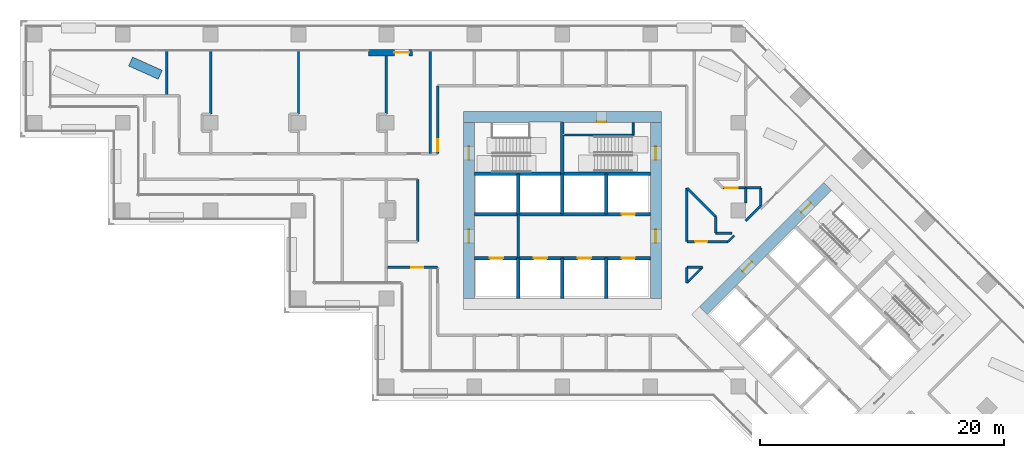
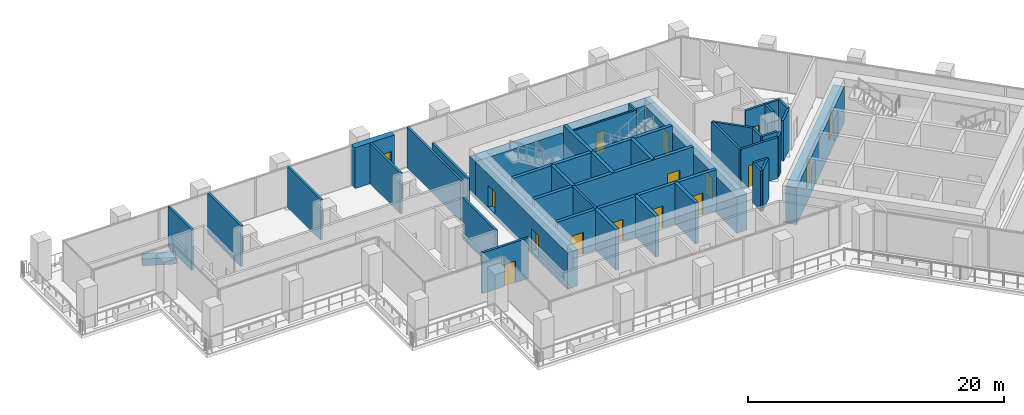
# One storey, part 13 of 24: 42 walls, 17 doors, 17 openings.
"""IFC4 building model written with IfcOpenShell, lengths in metres."""

from ifc_helpers import new_model, si_unit, direction, frame, frame_2d, origin, place, context, subcontext, project, spatial, rectangle, extrude, material, layer, layer_set, type_object, element, fill, save


model = new_model("IFC4")

# Units and contexts
model_context = context("Model", 3, precision=1e-05, world=origin(), true_north=direction((0.0, 1.0)))
body_context = subcontext(model_context, "Body", "Model", "MODEL_VIEW")
ifc_project = project(units=[si_unit("LENGTHUNIT", "METRE"), si_unit("AREAUNIT", "SQUARE_METRE"), si_unit("VOLUMEUNIT", "CUBIC_METRE"), si_unit("PLANEANGLEUNIT", "RADIAN"), si_unit("MASSUNIT", "GRAM", prefix="KILO")], contexts=[model_context])

# Site, building, storey
site_placement = place(None, origin())
site = spatial("IfcSite", under=ifc_project, at=site_placement, CompositionType="ELEMENT")
building_placement = place(site_placement, origin())
building = spatial("IfcBuilding", under=site, at=building_placement, Name="Windrow Commons", CompositionType="ELEMENT")
storey_placement = place(building_placement, frame((0.0, 0.0, 77.0)))
storey = spatial("IfcBuildingStorey", under=building, at=storey_placement, Name="L20", CompositionType="ELEMENT", Elevation=77.0)

# Wall, opening, door
ifc_material_1 = material(Name="Brick masonry, red clay brick", Category="masonry")
ifc_layer_1 = layer(ifc_material_1, 0.55)
ifc_layer_set_1 = layer_set([ifc_layer_1], Name="Brick facade wall 550")
wall_type_1 = type_object("IfcWallType", Name="Brick facade wall 550", PredefinedType="SOLIDWALL", material=ifc_layer_set_1)
wall_1_placement = place(storey_placement, frame((52.5519, 70.525, 0.0), z_axis=(0.0, 0.0, 1.0), x_axis=(-1.0, 0.0, 0.0)))
wall_1 = element("IfcWall", 1, at=wall_1_placement, inside=storey, type_object=wall_type_1, Name="Brick facade wall L20 door pier 4", PredefinedType="SOLIDWALL", context=body_context, shape_type="SweptSolid", body=[
    extrude(rectangle(XDim=3.6, YDim=0.55, at=frame_2d((1.8, 0.0))), origin(), (0.0, 0.0, 1.0), 3.9),
])
opening_1_placement = place(wall_1_placement, frame((0.3, 0.0, 0.0)))
opening_1 = element("IfcOpeningElement", 2, at=opening_1_placement, cuts=wall_1, Name="Opening TD7", PredefinedType="OPENING", context=body_context, shape_type="SweptSolid", body=[
    extrude(rectangle(XDim=1.2, YDim=2.4, at=frame_2d((0.6, 1.2))), frame((0.0, 0.285, 0.0), z_axis=(0.0, -1.0, 0.0), x_axis=(1.0, 0.0, 0.0)), (0.0, 0.0, 1.0), 0.57),
])
ifc_material_2 = material(Name="Aluminium 6063-T6 anodised frame with clear glass", Category="aluminium")
door_type_1 = type_object("IfcDoorType", Name="Terrace door TD7 1200x2400", OperationType="SINGLE_SWING_LEFT", PredefinedType="DOOR", material=ifc_material_2)
door_1_placement = place(opening_1_placement, origin())
door_1 = element("IfcDoor", 3, at=door_1_placement, inside=storey, type_object=door_type_1, Name="Terrace door L20 4.1", OperationType="SINGLE_SWING_LEFT", OverallHeight=2.4, OverallWidth=1.2, PredefinedType="DOOR", context=body_context, shape_type="SweptSolid", body=[
    extrude(rectangle(XDim=1.2, YDim=2.4, at=frame_2d((0.6, 1.2))), frame((0.0, 0.025, 0.0), z_axis=(0.0, -1.0, 0.0), x_axis=(1.0, 0.0, 0.0)), (0.0, 0.0, 1.0), 0.05),
])
fill(opening_1, door_1)

# Wall
ifc_material_3 = material(Name="Blockwork partition", Category="masonry")
ifc_layer_2 = layer(ifc_material_3, 0.2)
ifc_layer_set_2 = layer_set([ifc_layer_2], Name="Fire lobby partition 200")
wall_type_2 = type_object("IfcWallType", Name="Fire lobby partition 200", PredefinedType="PARTITIONING", material=ifc_layer_set_2)
wall_2_placement = place(storey_placement, frame((61.2, 53.7, 0.0), z_axis=(0.0, 0.0, 1.0), x_axis=(0.0, 1.0, 0.0)))
element("IfcWall", 4, at=wall_2_placement, inside=storey, type_object=wall_type_2, Name="W-core-lobby-A-L20", PredefinedType="PARTITIONING", context=body_context, shape_type="SweptSolid", body=[
    extrude(rectangle(XDim=3.6, YDim=0.2, at=frame_2d((1.8, 0.0))), origin(), (0.0, 0.0, 1.0), 3.9),
])

# Wall, opening, door
ifc_material_4 = material(Name="Blockwork partition", Category="masonry")
ifc_layer_3 = layer(ifc_material_4, 0.2)
ifc_layer_set_3 = layer_set([ifc_layer_3], Name="IW-CORRIDOR-200")
wall_type_3 = type_object("IfcWallType", Name="IW-CORRIDOR-200", PredefinedType="PARTITIONING", material=ifc_layer_set_3)
wall_3_placement = place(storey_placement, frame((54.6, 62.252, 0.0), z_axis=(0.0, 0.0, 1.0), x_axis=(0.0, 1.0, 0.0)))
wall_3 = element("IfcWall", 5, at=wall_3_placement, inside=storey, type_object=wall_type_3, Name="W-L20-W019", PredefinedType="PARTITIONING", context=body_context, shape_type="SweptSolid", body=[
    extrude(rectangle(XDim=5.548, YDim=0.2, at=frame_2d((2.774, 0.0))), origin(), (0.0, 0.0, 1.0), 3.9),
])
opening_2_placement = place(wall_3_placement, frame((0.2012, 0.0, 0.0)))
opening_2 = element("IfcOpeningElement", 6, at=opening_2_placement, cuts=wall_3, Name="Opening D310F", PredefinedType="OPENING", context=body_context, shape_type="SweptSolid", body=[
    extrude(rectangle(XDim=1.0, YDim=2.1, at=frame_2d((0.5, 1.05))), frame((0.0, 0.11, 0.0), z_axis=(0.0, -1.0, 0.0), x_axis=(1.0, 0.0, 0.0)), (0.0, 0.0, 1.0), 0.22),
])
ifc_material_5 = material(Name="Timber door leaf", Category="wood")
door_type_2 = type_object("IfcDoorType", Name="DT-AMENITY-1000", OperationType="SINGLE_SWING_LEFT", PredefinedType="DOOR", material=ifc_material_5)
door_2_placement = place(opening_2_placement, origin())
door_2 = element("IfcDoor", 7, at=door_2_placement, inside=storey, type_object=door_type_2, Name="D-L20-D017", OperationType="SINGLE_SWING_LEFT", OverallHeight=2.1, OverallWidth=1.0, PredefinedType="DOOR", context=body_context, shape_type="SweptSolid", body=[
    extrude(rectangle(XDim=1.0, YDim=2.1, at=frame_2d((0.5, 1.05))), frame((0.0, 0.025, 0.0), z_axis=(0.0, -1.0, 0.0), x_axis=(1.0, 0.0, 0.0)), (0.0, 0.0, 1.0), 0.05),
])
fill(opening_2, door_2)

# Walls
wall_4_placement = place(storey_placement, frame((52.95, 55.052, 0.0), z_axis=(0.0, 0.0, 1.0), x_axis=(0.0, 1.0, 0.0)))
element("IfcWall", 8, at=wall_4_placement, inside=storey, type_object=wall_type_3, Name="W-L20-W024", PredefinedType="PARTITIONING", context=body_context, shape_type="SweptSolid", body=[
    extrude(rectangle(XDim=5.098, YDim=0.2, at=frame_2d((2.549, 0.0))), origin(), (0.0, 0.0, 1.0), 3.9),
])
wall_5_placement = place(storey_placement, frame((75.0, 55.052, 0.0), z_axis=(0.0, 0.0, 1.0), x_axis=(0.0, 1.0, 0.0)))
element("IfcWall", 9, at=wall_5_placement, inside=storey, type_object=wall_type_3, Name="W-L20-W028", PredefinedType="PARTITIONING", context=body_context, shape_type="SweptSolid", body=[
    extrude(rectangle(XDim=4.388, YDim=0.2, at=frame_2d((2.194, 0.0))), origin(), (0.0, 0.0, 1.0), 3.9),
])

# Wall, opening, door
wall_6_placement = place(storey_placement, frame((50.4, 52.95, 0.0), z_axis=(0.0, 0.0, 1.0), x_axis=(1.0, 0.0, 0.0)))
wall_6 = element("IfcWall", 10, at=wall_6_placement, inside=storey, type_object=wall_type_3, Name="W-L20-W029", PredefinedType="PARTITIONING", context=body_context, shape_type="SweptSolid", body=[
    extrude(rectangle(XDim=4.2, YDim=0.2, at=frame_2d((2.1, 0.0))), origin(), (0.0, 0.0, 1.0), 3.9),
])
opening_3_placement = place(wall_6_placement, frame((2.0325, 0.0, 0.0)))
opening_3 = element("IfcOpeningElement", 11, at=opening_3_placement, cuts=wall_6, Name="Opening D310F", PredefinedType="OPENING", context=body_context, shape_type="SweptSolid", body=[
    extrude(rectangle(XDim=1.0, YDim=2.1, at=frame_2d((0.5, 1.05))), frame((0.0, 0.11, 0.0), z_axis=(0.0, -1.0, 0.0), x_axis=(1.0, 0.0, 0.0)), (0.0, 0.0, 1.0), 0.22),
])
door_3_placement = place(opening_3_placement, origin())
door_3 = element("IfcDoor", 12, at=door_3_placement, inside=storey, type_object=door_type_2, Name="D-L20-D004", OperationType="SINGLE_SWING_LEFT", OverallHeight=2.1, OverallWidth=1.0, PredefinedType="DOOR", context=body_context, shape_type="SweptSolid", body=[
    extrude(rectangle(XDim=1.0, YDim=2.1, at=frame_2d((0.5, 1.05))), frame((0.0, 0.025, 0.0), z_axis=(0.0, -1.0, 0.0), x_axis=(1.0, 0.0, 0.0)), (0.0, 0.0, 1.0), 0.05),
])
fill(opening_3, door_3)

wall_7_placement = place(storey_placement, frame((75.002, 55.05, 0.0), z_axis=(0.0, 0.0, 1.0), x_axis=(1.0, 0.0, 0.0)))
wall_7 = element("IfcWall", 13, at=wall_7_placement, inside=storey, type_object=wall_type_3, Name="W-L20-W037", PredefinedType="PARTITIONING", context=body_context, shape_type="SweptSolid", body=[
    extrude(rectangle(XDim=3.37, YDim=0.2, at=frame_2d((1.685, 0.0))), origin(), (0.0, 0.0, 1.0), 3.9),
])
opening_4_placement = place(wall_7_placement, frame((0.679, 0.0, 0.0)))
opening_4 = element("IfcOpeningElement", 14, at=opening_4_placement, cuts=wall_7, Name="Opening D310F", PredefinedType="OPENING", context=body_context, shape_type="SweptSolid", body=[
    extrude(rectangle(XDim=1.0, YDim=2.1, at=frame_2d((0.5, 1.05))), frame((0.0, 0.11, 0.0), z_axis=(0.0, -1.0, 0.0), x_axis=(1.0, 0.0, 0.0)), (0.0, 0.0, 1.0), 0.22),
])
door_4_placement = place(opening_4_placement, origin())
door_4 = element("IfcDoor", 15, at=door_4_placement, inside=storey, type_object=door_type_2, Name="D-L20-D011", OperationType="SINGLE_SWING_LEFT", OverallHeight=2.1, OverallWidth=1.0, PredefinedType="DOOR", context=body_context, shape_type="SweptSolid", body=[
    extrude(rectangle(XDim=1.0, YDim=2.1, at=frame_2d((0.5, 1.05))), frame((0.0, 0.025, 0.0), z_axis=(0.0, -1.0, 0.0), x_axis=(1.0, 0.0, 0.0)), (0.0, 0.0, 1.0), 0.05),
])
fill(opening_4, door_4)

# Wall
wall_8_placement = place(storey_placement, frame((74.9986, 59.4366, 0.0), z_axis=(0.0, 0.0, 1.0), x_axis=(0.7071067812, -0.7071067812, 0.0)))
element("IfcWall", 16, at=wall_8_placement, inside=storey, type_object=wall_type_3, Name="W-L20-W038", PredefinedType="PARTITIONING", context=body_context, shape_type="SweptSolid", body=[
    extrude(rectangle(XDim=3.3206, YDim=0.2, at=frame_2d((1.6603, 0.0))), origin(), (0.0, 0.0, 1.0), 3.9),
])

# Wall, opening, door
wall_9_placement = place(storey_placement, frame((77.962, 59.45, 0.0), z_axis=(0.0, 0.0, 1.0), x_axis=(1.0, 0.0, 0.0)))
wall_9 = element("IfcWall", 17, at=wall_9_placement, inside=storey, type_object=wall_type_3, Name="W-L20-W063", PredefinedType="PARTITIONING", context=body_context, shape_type="SweptSolid", body=[
    extrude(rectangle(XDim=1.838, YDim=0.2, at=frame_2d((0.919, 0.0))), origin(), (0.0, 0.0, 1.0), 3.9),
])
opening_5_placement = place(wall_9_placement, frame((0.195, 0.0, 0.0)))
opening_5 = element("IfcOpeningElement", 18, at=opening_5_placement, cuts=wall_9, Name="Opening D310F", PredefinedType="OPENING", context=body_context, shape_type="SweptSolid", body=[
    extrude(rectangle(XDim=1.0, YDim=2.1, at=frame_2d((0.5, 1.05))), frame((0.0, 0.11, 0.0), z_axis=(0.0, -1.0, 0.0), x_axis=(1.0, 0.0, 0.0)), (0.0, 0.0, 1.0), 0.22),
])
door_5_placement = place(opening_5_placement, origin())
door_5 = element("IfcDoor", 19, at=door_5_placement, inside=storey, type_object=door_type_2, Name="D-L20-D023", OperationType="SINGLE_SWING_LEFT", OverallHeight=2.1, OverallWidth=1.0, PredefinedType="DOOR", context=body_context, shape_type="SweptSolid", body=[
    extrude(rectangle(XDim=1.0, YDim=2.1, at=frame_2d((0.5, 1.05))), frame((0.0, 0.025, 0.0), z_axis=(0.0, -1.0, 0.0), x_axis=(1.0, 0.0, 0.0)), (0.0, 0.0, 1.0), 0.05),
])
fill(opening_5, door_5)

# Walls
wall_10_placement = place(storey_placement, frame((75.0012, 51.6808, 0.0), z_axis=(0.0, 0.0, 1.0), x_axis=(0.7071067812, 0.7071067812, 0.0)))
element("IfcWall", 20, at=wall_10_placement, inside=storey, type_object=wall_type_3, Name="W-L20-W066", PredefinedType="PARTITIONING", context=body_context, shape_type="SweptSolid", body=[
    extrude(rectangle(XDim=1.7932, YDim=0.2, at=frame_2d((0.8966, 0.0))), origin(), (0.0, 0.0, 1.0), 3.9),
])
wall_11_placement = place(storey_placement, frame((79.8008, 56.7632, 0.0), z_axis=(0.0, 0.0, 1.0), x_axis=(0.7071067812, 0.7071067812, 0.0)))
element("IfcWall", 21, at=wall_11_placement, inside=storey, type_object=wall_type_3, Name="W-L20-W067", PredefinedType="PARTITIONING", context=body_context, shape_type="SweptSolid", body=[
    extrude(rectangle(XDim=1.7649, YDim=0.2, at=frame_2d((0.8824, 0.0))), origin(), (0.0, 0.0, 1.0), 3.9),
])
for number, where, z_axis, x_axis, name in (
    (22, (77.35, 55.752, 0.0), (0.0, 0.0, 1.0), (0.0, 1.0, 0.0), "W-L20-W075"),
    (23, (77.352, 55.75, 0.0), (0.0, 0.0, 1.0), (1.0, 0.0, 0.0), "W-L20-W076"),
):
    element("IfcWall", number, at=place(storey_placement, frame(where, z_axis=z_axis, x_axis=x_axis)), inside=storey, type_object=wall_type_3, Name=name, PredefinedType="PARTITIONING", context=body_context, shape_type="SweptSolid", body=[
        extrude(rectangle(XDim=1.34, YDim=0.2, at=frame_2d((0.67, 0.0))), origin(), (0.0, 0.0, 1.0), 3.9),
    ])
wall_12_placement = place(storey_placement, frame((75.0, 51.68, 0.0), z_axis=(0.0, 0.0, 1.0), x_axis=(0.0, 1.0, 0.0)))
element("IfcWall", 24, at=wall_12_placement, inside=storey, type_object=wall_type_3, Name="W-L20-W077", PredefinedType="PARTITIONING", context=body_context, shape_type="SweptSolid", body=[
    extrude(rectangle(XDim=1.27, YDim=0.2, at=frame_2d((0.635, 0.0))), origin(), (0.0, 0.0, 1.0), 3.9),
])
wall_13_placement = place(storey_placement, frame((75.002, 52.95, 0.0), z_axis=(0.0, 0.0, 1.0), x_axis=(1.0, 0.0, 0.0)))
element("IfcWall", 25, at=wall_13_placement, inside=storey, type_object=wall_type_3, Name="W-L20-W078", PredefinedType="PARTITIONING", context=body_context, shape_type="SweptSolid", body=[
    extrude(rectangle(XDim=1.268, YDim=0.2, at=frame_2d((0.634, 0.0))), origin(), (0.0, 0.0, 1.0), 3.9),
])
wall_14_placement = place(storey_placement, frame((79.8, 58.2, 0.0), z_axis=(0.0, 0.0, 1.0), x_axis=(0.0, 1.0, 0.0)))
element("IfcWall", 26, at=wall_14_placement, inside=storey, type_object=wall_type_3, Name="W-L20-W079", PredefinedType="PARTITIONING", context=body_context, shape_type="SweptSolid", body=[
    extrude(rectangle(XDim=1.25, YDim=0.2, at=frame_2d((0.625, 0.0))), origin(), (0.0, 0.0, 1.0), 3.9),
])
wall_15_placement = place(storey_placement, frame((78.3712, 55.0508, 0.0), z_axis=(0.0, 0.0, 1.0), x_axis=(0.7071067812, 0.7071067812, 0.0)))
element("IfcWall", 27, at=wall_15_placement, inside=storey, type_object=wall_type_3, Name="W-L20-W086", PredefinedType="PARTITIONING", context=body_context, shape_type="SweptSolid", body=[
    extrude(rectangle(XDim=0.7212, YDim=0.2, at=frame_2d((0.3606, 0.0))), origin(), (0.0, 0.0, 1.0), 3.9),
])
ifc_material_6 = material(Name="Blockwork partition", Category="masonry")
ifc_layer_4 = layer(ifc_material_6, 0.2)
ifc_layer_set_4 = layer_set([ifc_layer_4], Name="IW-PARTY-200")
wall_type_4 = type_object("IfcWallType", Name="IW-PARTY-200", PredefinedType="PARTITIONING", material=ifc_layer_set_4)
wall_16_placement = place(storey_placement, frame((54.0, 62.25, 0.0), z_axis=(0.0, 0.0, 1.0), x_axis=(0.0, 1.0, 0.0)))
element("IfcWall", 28, at=wall_16_placement, inside=storey, type_object=wall_type_4, Name="W-L20-W012", PredefinedType="PARTITIONING", context=body_context, shape_type="SweptSolid", body=[
    extrude(rectangle(XDim=8.42, YDim=0.2, at=frame_2d((4.21, 0.0))), origin(), (0.0, 0.0, 1.0), 3.9),
])
for number, where, z_axis, x_axis, name in (
    (29, (36.0, 65.504, 0.0), (0.0, 0.0, 1.0), (0.0, 1.0, 0.0), "W-L20-W021"),
    (30, (43.2, 65.504, 0.0), (0.0, 0.0, 1.0), (0.0, 1.0, 0.0), "W-L20-W022"),
):
    element("IfcWall", number, at=place(storey_placement, frame(where, z_axis=z_axis, x_axis=x_axis)), inside=storey, type_object=wall_type_4, Name=name, PredefinedType="PARTITIONING", context=body_context, shape_type="SweptSolid", body=[
        extrude(rectangle(XDim=5.166, YDim=0.2, at=frame_2d((2.583, 0.0))), origin(), (0.0, 0.0, 1.0), 3.9),
    ])
wall_17_placement = place(storey_placement, frame((50.4, 65.504, 0.0), z_axis=(0.0, 0.0, 1.0), x_axis=(0.0, 1.0, 0.0)))
element("IfcWall", 31, at=wall_17_placement, inside=storey, type_object=wall_type_4, Name="W-L20-W023", PredefinedType="PARTITIONING", context=body_context, shape_type="SweptSolid", body=[
    extrude(rectangle(XDim=4.746, YDim=0.2, at=frame_2d((2.373, 0.0))), origin(), (0.0, 0.0, 1.0), 3.9),
])
wall_18_placement = place(storey_placement, frame((32.4, 67.0, 0.0), z_axis=(0.0, 0.0, 1.0), x_axis=(0.0, 1.0, 0.0)))
element("IfcWall", 32, at=wall_18_placement, inside=storey, type_object=wall_type_4, Name="W-L20-W034", PredefinedType="PARTITIONING", context=body_context, shape_type="SweptSolid", body=[
    extrude(rectangle(XDim=3.67, YDim=0.2, at=frame_2d((1.835, 0.0))), origin(), (0.0, 0.0, 1.0), 3.9),
])
wall_19_placement = place(storey_placement, frame((81.05, 58.01, 0.0), z_axis=(0.0, 0.0, 1.0), x_axis=(0.0, 1.0, 0.0)))
element("IfcWall", 33, at=wall_19_placement, inside=storey, type_object=wall_type_4, Name="W-L20-W069", PredefinedType="PARTITIONING", context=body_context, shape_type="SweptSolid", body=[
    extrude(rectangle(XDim=1.438, YDim=0.2, at=frame_2d((0.719, 0.0))), origin(), (0.0, 0.0, 1.0), 3.9),
])
wall_20_placement = place(storey_placement, frame((79.8, 59.45, 0.0), z_axis=(0.0, 0.0, 1.0), x_axis=(1.0, 0.0, 0.0)))
element("IfcWall", 34, at=wall_20_placement, inside=storey, type_object=wall_type_4, Name="W-L20-W080", PredefinedType="PARTITIONING", context=body_context, shape_type="SweptSolid", body=[
    extrude(rectangle(XDim=1.248, YDim=0.2, at=frame_2d((0.624, 0.0))), origin(), (0.0, 0.0, 1.0), 3.9),
])
ifc_material_7 = material(Name="Concrete C30/37 planter wall", Category="concrete")
ifc_layer_5 = layer(ifc_material_7, 0.8)
ifc_layer_set_5 = layer_set([ifc_layer_5], Name="Planter 800x600")
wall_type_5 = type_object("IfcWallType", Name="Planter 800x600", PredefinedType="SOLIDWALL", material=ifc_layer_set_5)
wall_21_placement = place(storey_placement, frame((31.88, 68.7124, 0.0), z_axis=(0.0, 0.0, 1.0), x_axis=(-0.912289633, 0.4095456329, 0.0)))
element("IfcWall", 35, at=wall_21_placement, inside=storey, type_object=wall_type_5, Name="PLANTER TR-L20-1 bed 11", PredefinedType="SOLIDWALL", context=body_context, shape_type="SweptSolid", body=[
    extrude(rectangle(XDim=2.6556, YDim=0.8, at=frame_2d((1.3278, 0.0))), origin(), (0.0, 0.0, 1.0), 0.65),
])

# Wall, opening, door
ifc_material_8 = material(Name="Concrete C60/75", Category="concrete")
ifc_layer_6 = layer(ifc_material_8, 0.9)
ifc_layer_set_6 = layer_set([ifc_layer_6], Name="RC CORE WALL 900 C60/75")
wall_type_6 = type_object("IfcWallType", Name="RC CORE WALL 900 C60/75", PredefinedType="SHEAR", material=ifc_layer_set_6)
wall_22_placement = place(storey_placement, frame((56.7, 65.25, -0.3), z_axis=(0.0, 0.0, 1.0), x_axis=(1.0, 0.0, 0.0)))
wall_22 = element("IfcWall", 36, at=wall_22_placement, inside=storey, type_object=wall_type_6, Name="Core A wall outer-N", PredefinedType="SHEAR", context=body_context, shape_type="SweptSolid", body=[
    extrude(rectangle(XDim=16.2, YDim=0.9, at=frame_2d((8.1, 0.0))), origin(), (0.0, 0.0, 1.0), 3.5),
])
opening_6_placement = place(wall_22_placement, frame((10.9, 0.0, 0.3)))
opening_6 = element("IfcOpeningElement", 37, at=opening_6_placement, cuts=wall_22, Name="Opening D9", PredefinedType="OPENING", context=body_context, shape_type="SweptSolid", body=[
    extrude(rectangle(XDim=0.8, YDim=2.1, at=frame_2d((0.4, 1.05))), frame((0.0, 0.46, 0.0), z_axis=(0.0, -1.0, 0.0), x_axis=(1.0, 0.0, 0.0)), (0.0, 0.0, 1.0), 0.92),
])
ifc_material_9 = material(Name="Steel fire door leaf", Category="steel")
door_type_3 = type_object("IfcDoorType", Name="Riser access door 800", OperationType="SINGLE_SWING_LEFT", PredefinedType="DOOR", material=ifc_material_9)
door_6_placement = place(opening_6_placement, origin())
door_6 = element("IfcDoor", 38, at=door_6_placement, inside=storey, type_object=door_type_3, Name="Riser access door", OperationType="SINGLE_SWING_RIGHT", OverallHeight=2.1, OverallWidth=0.8, PredefinedType="DOOR", context=body_context, shape_type="SweptSolid", body=[
    extrude(rectangle(XDim=0.8, YDim=2.1, at=frame_2d((0.4, 1.05))), frame((0.0, -0.39, 0.0), z_axis=(0.0, -1.0, 0.0), x_axis=(1.0, 0.0, 0.0)), (0.0, 0.0, 1.0), 0.05),
])
fill(opening_6, door_6)

# Wall, openings, doors
wall_23_placement = place(storey_placement, frame((57.15, 50.4, -0.3), z_axis=(0.0, 0.0, 1.0), x_axis=(0.0, 1.0, 0.0)))
wall_23 = element("IfcWall", 39, at=wall_23_placement, inside=storey, type_object=wall_type_6, Name="Core A wall outer-W", PredefinedType="SHEAR", context=body_context, shape_type="SweptSolid", body=[
    extrude(rectangle(XDim=14.4, YDim=0.9, at=frame_2d((7.2, 0.0))), origin(), (0.0, 0.0, 1.0), 3.5),
])
opening_7_placement = place(wall_23_placement, frame((4.55, 0.0, 0.3)))
opening_7 = element("IfcOpeningElement", 40, at=opening_7_placement, cuts=wall_23, Name="Opening D6", PredefinedType="OPENING", context=body_context, shape_type="SweptSolid", body=[
    extrude(rectangle(XDim=1.1, YDim=2.1, at=frame_2d((0.55, 1.05))), frame((0.0, 0.46, 0.0), z_axis=(0.0, -1.0, 0.0), x_axis=(1.0, 0.0, 0.0)), (0.0, 0.0, 1.0), 0.92),
])
opening_8_placement = place(wall_23_placement, frame((11.35, 0.0, 0.3)))
opening_8 = element("IfcOpeningElement", 41, at=opening_8_placement, cuts=wall_23, Name="Opening D7", PredefinedType="OPENING", context=body_context, shape_type="SweptSolid", body=[
    extrude(rectangle(XDim=1.1, YDim=2.1, at=frame_2d((0.55, 1.05))), frame((0.0, 0.46, 0.0), z_axis=(0.0, -1.0, 0.0), x_axis=(1.0, 0.0, 0.0)), (0.0, 0.0, 1.0), 0.92),
])
ifc_material_10 = material(Name="Steel fire door leaf", Category="steel")
door_type_4 = type_object("IfcDoorType", Name="Core lobby door 1100", OperationType="SINGLE_SWING_LEFT", PredefinedType="DOOR", material=ifc_material_10)
door_7_placement = place(opening_7_placement, origin())
door_7 = element("IfcDoor", 42, at=door_7_placement, inside=storey, type_object=door_type_4, Name="Lift lobby door", OperationType="DOUBLE_DOOR_SINGLE_SWING", OverallHeight=2.1, OverallWidth=1.1, PredefinedType="DOOR", context=body_context, shape_type="SweptSolid", body=[
    extrude(rectangle(XDim=1.1, YDim=2.1, at=frame_2d((0.55, 1.05))), frame((0.0, 0.025, 0.0), z_axis=(0.0, -1.0, 0.0), x_axis=(1.0, 0.0, 0.0)), (0.0, 0.0, 1.0), 0.05),
])
fill(opening_7, door_7)
ifc_material_11 = material(Name="Steel fire door leaf", Category="steel")
door_type_5 = type_object("IfcDoorType", Name="Stair door 1100", OperationType="SINGLE_SWING_LEFT", PredefinedType="DOOR", material=ifc_material_11)
door_8_placement = place(opening_8_placement, origin())
door_8 = element("IfcDoor", 43, at=door_8_placement, inside=storey, type_object=door_type_5, Name="Stair door", OperationType="SINGLE_SWING_LEFT", OverallHeight=2.1, OverallWidth=1.1, PredefinedType="DOOR", context=body_context, shape_type="SweptSolid", body=[
    extrude(rectangle(XDim=1.1, YDim=2.1, at=frame_2d((0.55, 1.05))), frame((0.0, 0.025, 0.0), z_axis=(0.0, -1.0, 0.0), x_axis=(1.0, 0.0, 0.0)), (0.0, 0.0, 1.0), 0.05),
])
fill(opening_8, door_8)

wall_24_placement = place(storey_placement, frame((72.45, 50.4, -0.3), z_axis=(0.0, 0.0, 1.0), x_axis=(0.0, 1.0, 0.0)))
wall_24 = element("IfcWall", 44, at=wall_24_placement, inside=storey, type_object=wall_type_6, Name="Core A wall outer-E", PredefinedType="SHEAR", context=body_context, shape_type="SweptSolid", body=[
    extrude(rectangle(XDim=14.4, YDim=0.9, at=frame_2d((7.2, 0.0))), origin(), (0.0, 0.0, 1.0), 3.5),
])
opening_9_placement = place(wall_24_placement, frame((4.55, 0.0, 0.3)))
opening_9 = element("IfcOpeningElement", 45, at=opening_9_placement, cuts=wall_24, Name="Opening D6", PredefinedType="OPENING", context=body_context, shape_type="SweptSolid", body=[
    extrude(rectangle(XDim=1.1, YDim=2.1, at=frame_2d((0.55, 1.05))), frame((0.0, 0.46, 0.0), z_axis=(0.0, -1.0, 0.0), x_axis=(1.0, 0.0, 0.0)), (0.0, 0.0, 1.0), 0.92),
])
opening_10_placement = place(wall_24_placement, frame((11.35, 0.0, 0.3)))
opening_10 = element("IfcOpeningElement", 46, at=opening_10_placement, cuts=wall_24, Name="Opening D7", PredefinedType="OPENING", context=body_context, shape_type="SweptSolid", body=[
    extrude(rectangle(XDim=1.1, YDim=2.1, at=frame_2d((0.55, 1.05))), frame((0.0, 0.46, 0.0), z_axis=(0.0, -1.0, 0.0), x_axis=(1.0, 0.0, 0.0)), (0.0, 0.0, 1.0), 0.92),
])
door_9_placement = place(opening_9_placement, origin())
door_9 = element("IfcDoor", 47, at=door_9_placement, inside=storey, type_object=door_type_4, Name="Lift lobby door", OperationType="DOUBLE_DOOR_SINGLE_SWING", OverallHeight=2.1, OverallWidth=1.1, PredefinedType="DOOR", context=body_context, shape_type="SweptSolid", body=[
    extrude(rectangle(XDim=1.1, YDim=2.1, at=frame_2d((0.55, 1.05))), frame((0.0, 0.025, 0.0), z_axis=(0.0, -1.0, 0.0), x_axis=(1.0, 0.0, 0.0)), (0.0, 0.0, 1.0), 0.05),
])
fill(opening_9, door_9)
door_10_placement = place(opening_10_placement, origin())
door_10 = element("IfcDoor", 48, at=door_10_placement, inside=storey, type_object=door_type_5, Name="Stair door", OperationType="SINGLE_SWING_RIGHT", OverallHeight=2.1, OverallWidth=1.1, PredefinedType="DOOR", context=body_context, shape_type="SweptSolid", body=[
    extrude(rectangle(XDim=1.1, YDim=2.1, at=frame_2d((0.55, 1.05))), frame((0.0, 0.025, 0.0), z_axis=(0.0, -1.0, 0.0), x_axis=(1.0, 0.0, 0.0)), (0.0, 0.0, 1.0), 0.05),
])
fill(opening_10, door_10)

wall_25_placement = place(storey_placement, frame((76.3362, 49.4079, -0.3), z_axis=(0.0, 0.0, 1.0), x_axis=(0.7071067812, 0.7071067812, 0.0)))
wall_25 = element("IfcWall", 49, at=wall_25_placement, inside=storey, type_object=wall_type_6, Name="Core B wall outer-W", PredefinedType="SHEAR", context=body_context, shape_type="SweptSolid", body=[
    extrude(rectangle(XDim=14.4001, YDim=0.9, at=frame_2d((7.2001, 0.0))), origin(), (0.0, 0.0, 1.0), 3.5),
])
opening_11_placement = place(wall_25_placement, frame((4.55, 0.0, 0.3)))
opening_11 = element("IfcOpeningElement", 50, at=opening_11_placement, cuts=wall_25, Name="Opening D6", PredefinedType="OPENING", context=body_context, shape_type="SweptSolid", body=[
    extrude(rectangle(XDim=1.1, YDim=2.1, at=frame_2d((0.55, 1.05))), frame((0.0, 0.46, 0.0), z_axis=(0.0, -1.0, 0.0), x_axis=(1.0, 0.0, 0.0)), (0.0, 0.0, 1.0), 0.92),
])
opening_12_placement = place(wall_25_placement, frame((11.35, 0.0, 0.3)))
opening_12 = element("IfcOpeningElement", 51, at=opening_12_placement, cuts=wall_25, Name="Opening D7", PredefinedType="OPENING", context=body_context, shape_type="SweptSolid", body=[
    extrude(rectangle(XDim=1.1, YDim=2.1, at=frame_2d((0.55, 1.05))), frame((0.0, 0.46, 0.0), z_axis=(0.0, -1.0, 0.0), x_axis=(1.0, 0.0, 0.0)), (0.0, 0.0, 1.0), 0.92),
])
door_11_placement = place(opening_11_placement, origin())
door_11 = element("IfcDoor", 52, at=door_11_placement, inside=storey, type_object=door_type_4, Name="Lift lobby door", OperationType="DOUBLE_DOOR_SINGLE_SWING", OverallHeight=2.1, OverallWidth=1.1, PredefinedType="DOOR", context=body_context, shape_type="SweptSolid", body=[
    extrude(rectangle(XDim=1.1, YDim=2.1, at=frame_2d((0.55, 1.05))), frame((0.0, 0.025, 0.0), z_axis=(0.0, -1.0, 0.0), x_axis=(1.0, 0.0, 0.0)), (0.0, 0.0, 1.0), 0.05),
])
fill(opening_11, door_11)
door_12_placement = place(opening_12_placement, origin())
door_12 = element("IfcDoor", 53, at=door_12_placement, inside=storey, type_object=door_type_5, Name="Stair door", OperationType="SINGLE_SWING_LEFT", OverallHeight=2.1, OverallWidth=1.1, PredefinedType="DOOR", context=body_context, shape_type="SweptSolid", body=[
    extrude(rectangle(XDim=1.1, YDim=2.1, at=frame_2d((0.55, 1.05))), frame((0.0, 0.025, 0.0), z_axis=(0.0, -1.0, 0.0), x_axis=(1.0, 0.0, 0.0)), (0.0, 0.0, 1.0), 0.05),
])
fill(opening_12, door_12)

# Walls
ifc_material_12 = material(Name="Concrete C60/75", Category="concrete")
ifc_layer_7 = layer(ifc_material_12, 0.3)
ifc_layer_set_7 = layer_set([ifc_layer_7], Name="RC SHAFT WALL 300 C60/75")
wall_type_7 = type_object("IfcWallType", Name="RC SHAFT WALL 300 C60/75", PredefinedType="SOLIDWALL", material=ifc_layer_set_7)
for number, where, z_axis, x_axis, name in (
    (54, (61.2, 50.4, 0.0), (0.0, 0.0, 1.0), (0.0, 1.0, 0.0), "Core A wall shaft-S1"),
    (55, (61.2, 57.3, 0.0), (0.0, 0.0, 1.0), (0.0, 1.0, 0.0), "Core A wall shaft-N1"),
    (56, (64.8, 50.4, 0.0), (0.0, 0.0, 1.0), (0.0, 1.0, 0.0), "Core A wall shaft-S2"),
    (57, (64.8, 57.3, 0.0), (0.0, 0.0, 1.0), (0.0, 1.0, 0.0), "Core A wall shaft-N2"),
    (58, (68.4, 50.4, 0.0), (0.0, 0.0, 1.0), (0.0, 1.0, 0.0), "Core A wall shaft-S3"),
    (59, (68.4, 57.3, 0.0), (0.0, 0.0, 1.0), (0.0, 1.0, 0.0), "Core A wall shaft-N3"),
):
    element("IfcWall", number, at=place(storey_placement, frame(where, z_axis=z_axis, x_axis=x_axis)), inside=storey, type_object=wall_type_7, Name=name, PredefinedType="SOLIDWALL", context=body_context, shape_type="SweptSolid", body=[
        extrude(rectangle(XDim=3.3, YDim=0.3, at=frame_2d((1.65, 0.0))), origin(), (0.0, 0.0, 1.0), 3.9),
    ])

# Wall, openings, doors
wall_26_placement = place(storey_placement, frame((57.6, 53.7, 0.0), z_axis=(0.0, 0.0, 1.0), x_axis=(1.0, 0.0, 0.0)))
wall_26 = element("IfcWall", 60, at=wall_26_placement, inside=storey, type_object=wall_type_7, Name="Core A wall lobby-S", PredefinedType="SOLIDWALL", context=body_context, shape_type="SweptSolid", body=[
    extrude(rectangle(XDim=14.4, YDim=0.3, at=frame_2d((7.2, 0.0))), origin(), (0.0, 0.0, 1.0), 3.9),
])
opening_13_placement = place(wall_26_placement, frame((1.25, 0.0, 0.0)))
opening_13 = element("IfcOpeningElement", 61, at=opening_13_placement, cuts=wall_26, Name="Opening LD", PredefinedType="OPENING", context=body_context, shape_type="SweptSolid", body=[
    extrude(rectangle(XDim=1.1, YDim=2.1, at=frame_2d((0.55, 1.05))), frame((0.0, 0.16, 0.0), z_axis=(0.0, -1.0, 0.0), x_axis=(1.0, 0.0, 0.0)), (0.0, 0.0, 1.0), 0.32),
])
opening_14_placement = place(wall_26_placement, frame((4.85, 0.0, 0.0)))
opening_14 = element("IfcOpeningElement", 62, at=opening_14_placement, cuts=wall_26, Name="Opening LD", PredefinedType="OPENING", context=body_context, shape_type="SweptSolid", body=[
    extrude(rectangle(XDim=1.1, YDim=2.1, at=frame_2d((0.55, 1.05))), frame((0.0, 0.16, 0.0), z_axis=(0.0, -1.0, 0.0), x_axis=(1.0, 0.0, 0.0)), (0.0, 0.0, 1.0), 0.32),
])
opening_15_placement = place(wall_26_placement, frame((8.45, 0.0, 0.0)))
opening_15 = element("IfcOpeningElement", 63, at=opening_15_placement, cuts=wall_26, Name="Opening LD", PredefinedType="OPENING", context=body_context, shape_type="SweptSolid", body=[
    extrude(rectangle(XDim=1.1, YDim=2.1, at=frame_2d((0.55, 1.05))), frame((0.0, 0.16, 0.0), z_axis=(0.0, -1.0, 0.0), x_axis=(1.0, 0.0, 0.0)), (0.0, 0.0, 1.0), 0.32),
])
opening_16_placement = place(wall_26_placement, frame((12.05, 0.0, 0.0)))
opening_16 = element("IfcOpeningElement", 64, at=opening_16_placement, cuts=wall_26, Name="Opening LD", PredefinedType="OPENING", context=body_context, shape_type="SweptSolid", body=[
    extrude(rectangle(XDim=1.1, YDim=2.1, at=frame_2d((0.55, 1.05))), frame((0.0, 0.16, 0.0), z_axis=(0.0, -1.0, 0.0), x_axis=(1.0, 0.0, 0.0)), (0.0, 0.0, 1.0), 0.32),
])
ifc_material_13 = material(Name="Stainless steel door leaf", Category="steel")
door_type_6 = type_object("IfcDoorType", Name="Lift landing door 1100", OperationType="SLIDING_TO_LEFT", PredefinedType="DOOR", material=ifc_material_13)
door_13_placement = place(opening_13_placement, origin())
door_13 = element("IfcDoor", 65, at=door_13_placement, inside=storey, type_object=door_type_6, Name="Lift landing door", OperationType="SLIDING_TO_LEFT", OverallHeight=2.1, OverallWidth=1.1, PredefinedType="DOOR", context=body_context, shape_type="SweptSolid", body=[
    extrude(rectangle(XDim=1.1, YDim=2.1, at=frame_2d((0.55, 1.05))), frame((0.0, 0.025, 0.0), z_axis=(0.0, -1.0, 0.0), x_axis=(1.0, 0.0, 0.0)), (0.0, 0.0, 1.0), 0.05),
])
fill(opening_13, door_13)
door_14_placement = place(opening_14_placement, origin())
door_14 = element("IfcDoor", 66, at=door_14_placement, inside=storey, type_object=door_type_6, Name="Lift landing door", OperationType="SLIDING_TO_RIGHT", OverallHeight=2.1, OverallWidth=1.1, PredefinedType="DOOR", context=body_context, shape_type="SweptSolid", body=[
    extrude(rectangle(XDim=1.1, YDim=2.1, at=frame_2d((0.55, 1.05))), frame((0.0, 0.025, 0.0), z_axis=(0.0, -1.0, 0.0), x_axis=(1.0, 0.0, 0.0)), (0.0, 0.0, 1.0), 0.05),
])
fill(opening_14, door_14)
door_15_placement = place(opening_15_placement, origin())
door_15 = element("IfcDoor", 67, at=door_15_placement, inside=storey, type_object=door_type_6, Name="Lift landing door", OperationType="SLIDING_TO_LEFT", OverallHeight=2.1, OverallWidth=1.1, PredefinedType="DOOR", context=body_context, shape_type="SweptSolid", body=[
    extrude(rectangle(XDim=1.1, YDim=2.1, at=frame_2d((0.55, 1.05))), frame((0.0, 0.025, 0.0), z_axis=(0.0, -1.0, 0.0), x_axis=(1.0, 0.0, 0.0)), (0.0, 0.0, 1.0), 0.05),
])
fill(opening_15, door_15)
door_16_placement = place(opening_16_placement, origin())
door_16 = element("IfcDoor", 68, at=door_16_placement, inside=storey, type_object=door_type_6, Name="Lift landing door", OperationType="SLIDING_TO_RIGHT", OverallHeight=2.1, OverallWidth=1.1, PredefinedType="DOOR", context=body_context, shape_type="SweptSolid", body=[
    extrude(rectangle(XDim=1.1, YDim=2.1, at=frame_2d((0.55, 1.05))), frame((0.0, 0.025, 0.0), z_axis=(0.0, -1.0, 0.0), x_axis=(1.0, 0.0, 0.0)), (0.0, 0.0, 1.0), 0.05),
])
fill(opening_16, door_16)

# Wall, opening, door
wall_27_placement = place(storey_placement, frame((57.6, 57.3, 0.0), z_axis=(0.0, 0.0, 1.0), x_axis=(1.0, 0.0, 0.0)))
wall_27 = element("IfcWall", 69, at=wall_27_placement, inside=storey, type_object=wall_type_7, Name="Core A wall lobby-N", PredefinedType="SOLIDWALL", context=body_context, shape_type="SweptSolid", body=[
    extrude(rectangle(XDim=14.4, YDim=0.3, at=frame_2d((7.2, 0.0))), origin(), (0.0, 0.0, 1.0), 3.9),
])
opening_17_placement = place(wall_27_placement, frame((12.05, 0.0, 0.0)))
opening_17 = element("IfcOpeningElement", 70, at=opening_17_placement, cuts=wall_27, Name="Opening LD", PredefinedType="OPENING", context=body_context, shape_type="SweptSolid", body=[
    extrude(rectangle(XDim=1.1, YDim=2.1, at=frame_2d((0.55, 1.05))), frame((0.0, 0.16, 0.0), z_axis=(0.0, -1.0, 0.0), x_axis=(1.0, 0.0, 0.0)), (0.0, 0.0, 1.0), 0.32),
])
door_17_placement = place(opening_17_placement, origin())
door_17 = element("IfcDoor", 71, at=door_17_placement, inside=storey, type_object=door_type_6, Name="Lift landing door", OperationType="SLIDING_TO_RIGHT", OverallHeight=2.1, OverallWidth=1.1, PredefinedType="DOOR", context=body_context, shape_type="SweptSolid", body=[
    extrude(rectangle(XDim=1.1, YDim=2.1, at=frame_2d((0.55, 1.05))), frame((0.0, 0.025, 0.0), z_axis=(0.0, -1.0, 0.0), x_axis=(1.0, 0.0, 0.0)), (0.0, 0.0, 1.0), 0.05),
])
fill(opening_17, door_17)

# Walls
for number, where, z_axis, x_axis, name in (
    (72, (57.6, 60.6, 0.0), (0.0, 0.0, 1.0), (1.0, 0.0, 0.0), "Core A wall stair-S"),
    (73, (64.8, 60.6, 0.0), (0.0, 0.0, 1.0), (1.0, 0.0, 0.0), "Core A wall stair-S2"),
):
    element("IfcWall", number, at=place(storey_placement, frame(where, z_axis=z_axis, x_axis=x_axis)), inside=storey, type_object=wall_type_7, Name=name, PredefinedType="SOLIDWALL", context=body_context, shape_type="SweptSolid", body=[
        extrude(rectangle(XDim=7.2, YDim=0.3, at=frame_2d((3.6, 0.0))), origin(), (0.0, 0.0, 1.0), 3.9),
    ])
wall_28_placement = place(storey_placement, frame((64.8, 60.6, 0.0), z_axis=(0.0, 0.0, 1.0), x_axis=(0.0, 1.0, 0.0)))
element("IfcWall", 74, at=wall_28_placement, inside=storey, type_object=wall_type_7, Name="Core A wall stair-mid", PredefinedType="SOLIDWALL", context=body_context, shape_type="SweptSolid", body=[
    extrude(rectangle(XDim=4.2, YDim=0.3, at=frame_2d((2.1, 0.0))), origin(), (0.0, 0.0, 1.0), 3.9),
])
ifc_material_14 = material(Name="Blockwork partition", Category="masonry")
ifc_layer_8 = layer(ifc_material_14, 0.15)
ifc_layer_set_8 = layer_set([ifc_layer_8], Name="Riser partition 150")
wall_type_8 = type_object("IfcWallType", Name="Riser partition 150", PredefinedType="PARTITIONING", material=ifc_layer_set_8)
wall_29_placement = place(storey_placement, frame((64.95, 63.78, 0.0), z_axis=(0.0, 0.0, 1.0), x_axis=(1.0, 0.0, 0.0)))
element("IfcWall", 75, at=wall_29_placement, inside=storey, type_object=wall_type_8, Name="W-core-strip-A-L20", PredefinedType="PARTITIONING", context=body_context, shape_type="SweptSolid", body=[
    extrude(rectangle(XDim=5.65, YDim=0.15, at=frame_2d((2.825, 0.0))), origin(), (0.0, 0.0, 1.0), 3.9),
])
wall_30_placement = place(storey_placement, frame((70.6, 63.78, 0.0), z_axis=(0.0, 0.0, 1.0), x_axis=(0.0, 1.0, 0.0)))
element("IfcWall", 76, at=wall_30_placement, inside=storey, type_object=wall_type_8, Name="W-core-stripx-A-L20-1", PredefinedType="PARTITIONING", context=body_context, shape_type="SweptSolid", body=[
    extrude(rectangle(XDim=1.02, YDim=0.15, at=frame_2d((0.51, 0.0))), origin(), (0.0, 0.0, 1.0), 3.9),
])

save(model, "model.ifc")
